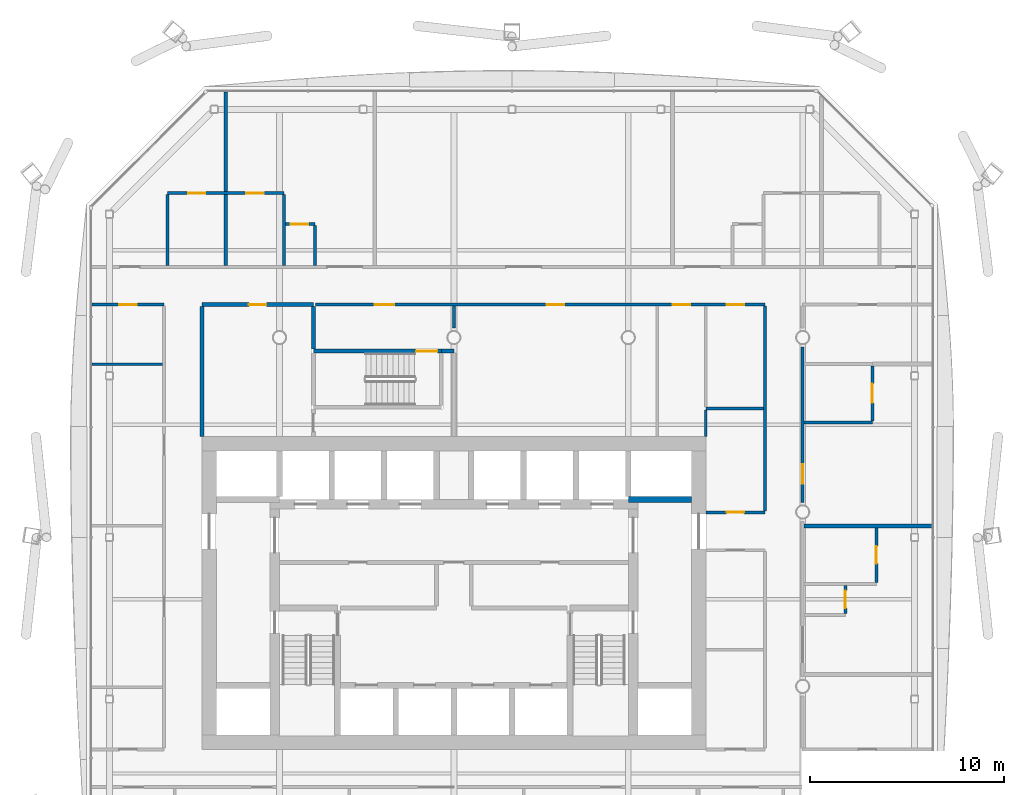
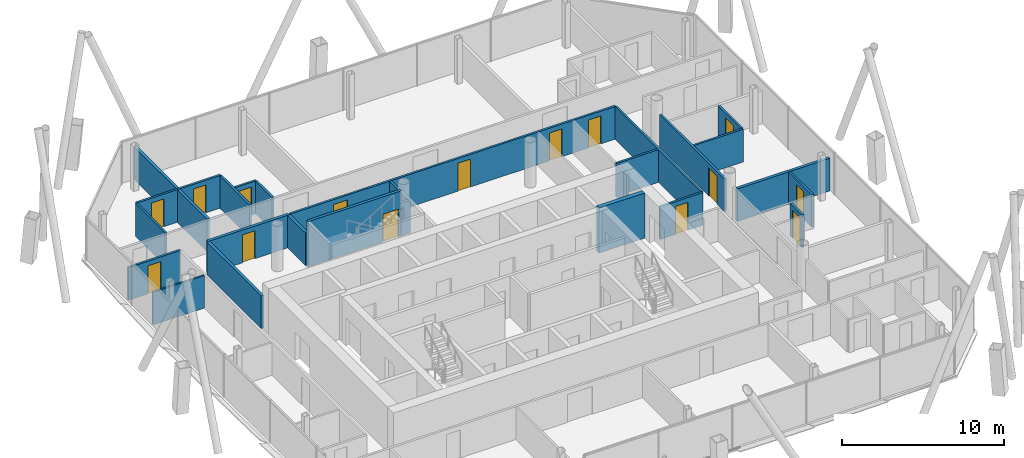
# One storey, part 16 of 20: 26 walls, 15 doors, 15 openings.
"""IFC4 building model written with IfcOpenShell, lengths in metres."""

from ifc_helpers import new_model, si_unit, direction, frame, frame_2d, origin, place, context, subcontext, project, spatial, rectangle, extrude, material, layer, layer_set, type_object, element, fill, save


model = new_model("IFC4")

# Units and contexts
model_context = context("Model", 3, precision=1e-05, world=origin(), true_north=direction((0.0, 1.0)))
body_context = subcontext(model_context, "Body", "Model", "MODEL_VIEW")
ifc_project = project(units=[si_unit("LENGTHUNIT", "METRE"), si_unit("AREAUNIT", "SQUARE_METRE"), si_unit("VOLUMEUNIT", "CUBIC_METRE"), si_unit("PLANEANGLEUNIT", "RADIAN"), si_unit("MASSUNIT", "GRAM", prefix="KILO")], contexts=[model_context])

# Site, building, storey
site_placement = place(None, origin())
site = spatial("IfcSite", under=ifc_project, at=site_placement, CompositionType="ELEMENT")
building_placement = place(site_placement, origin())
building = spatial("IfcBuilding", under=site, at=building_placement, Name="Tskaro Facet Tower", CompositionType="ELEMENT")
storey_placement = place(building_placement, frame((0.0, 0.0, 152.10009765625)))
storey = spatial("IfcBuildingStorey", under=building, at=storey_placement, Name="L37", CompositionType="ELEMENT", Elevation=152.10009765625)

# Walls
ifc_material_1 = material(Name="Concrete C60/75", Category="concrete")
ifc_layer_1 = layer(ifc_material_1, 0.300048828125, Name="Concrete C60/75")
ifc_layer_set_1 = layer_set([ifc_layer_1], Name="Concrete C60/75")
wall_type_1 = type_object("IfcWallType", Name="CORE-SHAFT", PredefinedType="SHEAR", material=ifc_layer_set_1)
wall_1_placement = place(storey_placement, frame((12.25, 0.64990234375, 0.0), z_axis=(0.0, 0.0, 1.0), x_axis=(-1.0, 0.0, 0.0)))
element("IfcWall", 1, at=wall_1_placement, inside=storey, type_object=wall_type_1, Name="Shaft wall W025", PredefinedType="SHEAR", context=body_context, shape_type="SweptSolid", body=[
    extrude(rectangle(XDim=3.25, YDim=0.300048828125, at=frame_2d((1.625, 0.0))), origin(), (0.0, 0.0, 1.0), 3.39990234375),
])
ifc_material_2 = material(Name="Gypsum board on steel studs", Category="steel")
ifc_layer_2 = layer(ifc_material_2, 0.125, Name="Gypsum board on steel studs")
ifc_layer_set_2 = layer_set([ifc_layer_2], Name="Gypsum board on steel studs")
wall_type_2 = type_object("IfcWallType", Name="PART", PredefinedType="PARTITIONING", material=ifc_layer_set_2)
wall_2_placement = place(storey_placement, frame((-18.674072265625, 7.6259765625, 0.0), z_axis=(0.0, 0.0, 1.0), x_axis=(1.0, 0.0, 0.0)))
element("IfcWall", 2, at=wall_2_placement, inside=storey, type_object=wall_type_2, Name="Partition W029", PredefinedType="PARTITIONING", context=body_context, shape_type="SweptSolid", body=[
    extrude(rectangle(XDim=3.649169921875, YDim=0.125, at=frame_2d((1.82470703125, 0.0))), origin(), (0.0, 0.0, 1.0), 2.4599609375),
])

# Wall, opening, door
ifc_layer_3 = layer(ifc_material_2, 0.14990234375, Name="Gypsum board on steel studs")
ifc_layer_set_3 = layer_set([ifc_layer_3], Name="Gypsum board on steel studs")
wall_type_3 = type_object("IfcWallType", Name="PART-CORR", PredefinedType="PARTITIONING", material=ifc_layer_set_3)
wall_3_placement = place(storey_placement, frame((13.0, -0.02490234375, 0.0), z_axis=(0.0, 0.0, 1.0), x_axis=(1.0, 0.0, 0.0)))
wall_3 = element("IfcWall", 3, at=wall_3_placement, inside=storey, type_object=wall_type_3, Name="Corridor wall W023", PredefinedType="PARTITIONING", context=body_context, shape_type="SweptSolid", body=[
    extrude(rectangle(XDim=3.050048828125, YDim=0.14990234375, at=frame_2d((1.52490234375, 0.0))), origin(), (0.0, 0.0, 1.0), 2.4599609375),
])
opening_1_placement = place(wall_3_placement, frame((1.074951171875, 0.0, 0.0)))
opening_1 = element("IfcOpeningElement", 4, at=opening_1_placement, cuts=wall_3, Name="Opening T11-D25", PredefinedType="OPENING", context=body_context, shape_type="SweptSolid", body=[
    extrude(rectangle(XDim=0.89990234375, YDim=2.10009765625, at=frame_2d((0.449951171875, 1.050048828125))), frame((0.0, 0.0849609375, 0.0), z_axis=(0.0, -1.0, 0.0), x_axis=(1.0, 0.0, 0.0)), (0.0, 0.0, 1.0), 0.169921875),
])
ifc_material_3 = material(Name="Timber", Category="wood")
door_type_1 = type_object("IfcDoorType", Name="D-ROOM", OperationType="NOTDEFINED", PredefinedType="DOOR", material=ifc_material_3)
door_1_placement = place(opening_1_placement, origin())
door_1 = element("IfcDoor", 5, at=door_1_placement, inside=storey, type_object=door_type_1, Name="Door T11-D25", OperationType="SINGLE_SWING_LEFT", OverallHeight=2.10009765625, OverallWidth=0.89990234375, PredefinedType="DOOR", context=body_context, shape_type="SweptSolid", body=[
    extrude(rectangle(XDim=0.89990234375, YDim=2.10009765625, at=frame_2d((0.449951171875, 1.050048828125))), frame((0.0, 0.02490234375, 0.0), z_axis=(0.0, -1.0, 0.0), x_axis=(1.0, 0.0, 0.0)), (0.0, 0.0, 1.0), 0.050048828125),
])
fill(opening_1, door_1)

# Walls
wall_4_placement = place(storey_placement, frame((18.074951171875, 4.6259765625, 0.0), z_axis=(0.0, 0.0, 1.0), x_axis=(1.0, 0.0, 0.0)))
element("IfcWall", 6, at=wall_4_placement, inside=storey, type_object=wall_type_3, Name="Corridor wall W026", PredefinedType="PARTITIONING", context=body_context, shape_type="SweptSolid", body=[
    extrude(rectangle(XDim=3.525146484375, YDim=0.14990234375, at=frame_2d((1.7626953125, 0.0))), origin(), (0.0, 0.0, 1.0), 2.4599609375),
])
wall_5_placement = place(storey_placement, frame((13.0, 5.3369140625, 0.0), z_axis=(0.0, 0.0, 1.0), x_axis=(1.0, 0.0, 0.0)))
element("IfcWall", 7, at=wall_5_placement, inside=storey, type_object=wall_type_3, Name="Corridor wall W027", PredefinedType="PARTITIONING", context=body_context, shape_type="SweptSolid", body=[
    extrude(rectangle(XDim=2.97509765625, YDim=0.14990234375, at=frame_2d((1.487548828125, 0.0))), origin(), (0.0, 0.0, 1.0), 2.4599609375),
])

# Wall, opening, door
wall_6_placement = place(storey_placement, frame((-14.949951171875, 10.699951171875, 0.0), z_axis=(0.0, 0.0, 1.0), x_axis=(-1.0, 0.0, 0.0)))
wall_6 = element("IfcWall", 8, at=wall_6_placement, inside=storey, type_object=wall_type_3, Name="Corridor wall W034", PredefinedType="PARTITIONING", context=body_context, shape_type="SweptSolid", body=[
    extrude(rectangle(XDim=3.72412109375, YDim=0.14990234375, at=frame_2d((1.862060546875, 0.0))), origin(), (0.0, 0.0, 1.0), 2.4599609375),
])
opening_2_placement = place(wall_6_placement, frame((1.412109375, 0.0, 0.0)))
opening_2 = element("IfcOpeningElement", 9, at=opening_2_placement, cuts=wall_6, Name="Opening T11-D32", PredefinedType="OPENING", context=body_context, shape_type="SweptSolid", body=[
    extrude(rectangle(XDim=0.89990234375, YDim=2.10009765625, at=frame_2d((0.449951171875, 1.050048828125))), frame((0.0, 0.0849609375, 0.0), z_axis=(0.0, -1.0, 0.0), x_axis=(1.0, 0.0, 0.0)), (0.0, 0.0, 1.0), 0.169921875),
])
door_2_placement = place(opening_2_placement, origin())
door_2 = element("IfcDoor", 10, at=door_2_placement, inside=storey, type_object=door_type_1, Name="Door T11-D32", OperationType="SINGLE_SWING_RIGHT", OverallHeight=2.10009765625, OverallWidth=0.89990234375, PredefinedType="DOOR", context=body_context, shape_type="SweptSolid", body=[
    extrude(rectangle(XDim=0.89990234375, YDim=2.10009765625, at=frame_2d((0.449951171875, 1.050048828125))), frame((0.0, 0.02490234375, 0.0), z_axis=(0.0, -1.0, 0.0), x_axis=(1.0, 0.0, 0.0)), (0.0, 0.0, 1.0), 0.050048828125),
])
fill(opening_2, door_2)

# Wall, openings, doors
wall_7_placement = place(storey_placement, frame((16.050048828125, 10.699951171875, 0.0), z_axis=(0.0, 0.0, 1.0), x_axis=(-1.0, 0.0, 0.0)))
wall_7 = element("IfcWall", 11, at=wall_7_placement, inside=storey, type_object=wall_type_3, Name="Corridor wall W036", PredefinedType="PARTITIONING", context=body_context, shape_type="SweptSolid", body=[
    extrude(rectangle(XDim=23.199951171875, YDim=0.14990234375, at=frame_2d((11.60009765625, 0.0))), origin(), (0.0, 0.0, 1.0), 2.4599609375),
])
opening_3_placement = place(wall_7_placement, frame((19.125, 0.0, 0.0)))
opening_3 = element("IfcOpeningElement", 12, at=opening_3_placement, cuts=wall_7, Name="Opening T11-D34", PredefinedType="OPENING", context=body_context, shape_type="SweptSolid", body=[
    extrude(rectangle(XDim=1.0, YDim=2.10009765625, at=frame_2d((0.5, 1.050048828125))), frame((0.0, 0.0849609375, 0.0), z_axis=(0.0, -1.0, 0.0), x_axis=(1.0, 0.0, 0.0)), (0.0, 0.0, 1.0), 0.169921875),
])
opening_4_placement = place(wall_7_placement, frame((10.35009765625, 0.0, 0.0)))
opening_4 = element("IfcOpeningElement", 13, at=opening_4_placement, cuts=wall_7, Name="Opening T11-D35", PredefinedType="OPENING", context=body_context, shape_type="SweptSolid", body=[
    extrude(rectangle(XDim=0.89990234375, YDim=2.10009765625, at=frame_2d((0.449951171875, 1.050048828125))), frame((0.0, 0.0849609375, 0.0), z_axis=(0.0, -1.0, 0.0), x_axis=(1.0, 0.0, 0.0)), (0.0, 0.0, 1.0), 0.169921875),
])
opening_5_placement = place(wall_7_placement, frame((3.85009765625, 0.0, 0.0)))
opening_5 = element("IfcOpeningElement", 14, at=opening_5_placement, cuts=wall_7, Name="Opening T11-D36", PredefinedType="OPENING", context=body_context, shape_type="SweptSolid", body=[
    extrude(rectangle(XDim=0.89990234375, YDim=2.10009765625, at=frame_2d((0.449951171875, 1.050048828125))), frame((0.0, 0.0849609375, 0.0), z_axis=(0.0, -1.0, 0.0), x_axis=(1.0, 0.0, 0.0)), (0.0, 0.0, 1.0), 0.169921875),
])
opening_6_placement = place(wall_7_placement, frame((1.074951171875, 0.0, 0.0)))
opening_6 = element("IfcOpeningElement", 15, at=opening_6_placement, cuts=wall_7, Name="Opening T11-D37", PredefinedType="OPENING", context=body_context, shape_type="SweptSolid", body=[
    extrude(rectangle(XDim=0.89990234375, YDim=2.10009765625, at=frame_2d((0.449951171875, 1.050048828125))), frame((0.0, 0.0849609375, 0.0), z_axis=(0.0, -1.0, 0.0), x_axis=(1.0, 0.0, 0.0)), (0.0, 0.0, 1.0), 0.169921875),
])
ifc_material_4 = material(Name="Steel", Category="steel")
door_type_2 = type_object("IfcDoorType", Name="D-LOBBY", OperationType="NOTDEFINED", PredefinedType="DOOR", material=ifc_material_4)
door_3_placement = place(opening_3_placement, origin())
door_3 = element("IfcDoor", 16, at=door_3_placement, inside=storey, type_object=door_type_2, Name="Stair lobby door", OperationType="SINGLE_SWING_RIGHT", OverallHeight=2.10009765625, OverallWidth=1.0, PredefinedType="DOOR", context=body_context, shape_type="SweptSolid", body=[
    extrude(rectangle(XDim=1.0, YDim=2.10009765625, at=frame_2d((0.5, 1.050048828125))), frame((0.0, 0.02490234375, 0.0), z_axis=(0.0, -1.0, 0.0), x_axis=(1.0, 0.0, 0.0)), (0.0, 0.0, 1.0), 0.050048828125),
])
fill(opening_3, door_3)
door_4_placement = place(opening_4_placement, origin())
door_4 = element("IfcDoor", 17, at=door_4_placement, inside=storey, type_object=door_type_1, Name="Door T11-D35", OperationType="SINGLE_SWING_RIGHT", OverallHeight=2.10009765625, OverallWidth=0.89990234375, PredefinedType="DOOR", context=body_context, shape_type="SweptSolid", body=[
    extrude(rectangle(XDim=0.89990234375, YDim=2.10009765625, at=frame_2d((0.449951171875, 1.050048828125))), frame((0.0, 0.02490234375, 0.0), z_axis=(0.0, -1.0, 0.0), x_axis=(1.0, 0.0, 0.0)), (0.0, 0.0, 1.0), 0.050048828125),
])
fill(opening_4, door_4)
door_5_placement = place(opening_5_placement, origin())
door_5 = element("IfcDoor", 18, at=door_5_placement, inside=storey, type_object=door_type_1, Name="Door T11-D36", OperationType="SINGLE_SWING_RIGHT", OverallHeight=2.10009765625, OverallWidth=0.89990234375, PredefinedType="DOOR", context=body_context, shape_type="SweptSolid", body=[
    extrude(rectangle(XDim=0.89990234375, YDim=2.10009765625, at=frame_2d((0.449951171875, 1.050048828125))), frame((0.0, 0.02490234375, 0.0), z_axis=(0.0, -1.0, 0.0), x_axis=(1.0, 0.0, 0.0)), (0.0, 0.0, 1.0), 0.050048828125),
])
fill(opening_5, door_5)
door_6_placement = place(opening_6_placement, origin())
door_6 = element("IfcDoor", 19, at=door_6_placement, inside=storey, type_object=door_type_1, Name="Door T11-D37", OperationType="SINGLE_SWING_RIGHT", OverallHeight=2.10009765625, OverallWidth=0.89990234375, PredefinedType="DOOR", context=body_context, shape_type="SweptSolid", body=[
    extrude(rectangle(XDim=0.89990234375, YDim=2.10009765625, at=frame_2d((0.449951171875, 1.050048828125))), frame((0.0, 0.02490234375, 0.0), z_axis=(0.0, -1.0, 0.0), x_axis=(1.0, 0.0, 0.0)), (0.0, 0.0, 1.0), 0.050048828125),
])
fill(opening_6, door_6)

# Wall, opening, door
wall_8_placement = place(storey_placement, frame((-7.16796875, 14.85009765625, 0.0), z_axis=(0.0, 0.0, 1.0), x_axis=(-1.0, 0.0, 0.0)))
wall_8 = element("IfcWall", 20, at=wall_8_placement, inside=storey, type_object=wall_type_3, Name="Corridor wall W039", PredefinedType="PARTITIONING", context=body_context, shape_type="SweptSolid", body=[
    extrude(rectangle(XDim=1.525146484375, YDim=0.14990234375, at=frame_2d((0.7626953125, 0.0))), origin(), (0.0, 0.0, 1.0), 2.4599609375),
])
opening_7_placement = place(wall_8_placement, frame((0.35009765625, 0.0, 0.0)))
opening_7 = element("IfcOpeningElement", 21, at=opening_7_placement, cuts=wall_8, Name="Opening T11-D44", PredefinedType="OPENING", context=body_context, shape_type="SweptSolid", body=[
    extrude(rectangle(XDim=0.89990234375, YDim=2.10009765625, at=frame_2d((0.449951171875, 1.050048828125))), frame((0.0, 0.0849609375, 0.0), z_axis=(0.0, -1.0, 0.0), x_axis=(1.0, 0.0, 0.0)), (0.0, 0.0, 1.0), 0.169921875),
])
door_7_placement = place(opening_7_placement, origin())
door_7 = element("IfcDoor", 22, at=door_7_placement, inside=storey, type_object=door_type_1, Name="Door T11-D44", OperationType="SINGLE_SWING_RIGHT", OverallHeight=2.10009765625, OverallWidth=0.89990234375, PredefinedType="DOOR", context=body_context, shape_type="SweptSolid", body=[
    extrude(rectangle(XDim=0.89990234375, YDim=2.10009765625, at=frame_2d((0.449951171875, 1.050048828125))), frame((0.0, 0.02490234375, 0.0), z_axis=(0.0, -1.0, 0.0), x_axis=(1.0, 0.0, 0.0)), (0.0, 0.0, 1.0), 0.050048828125),
])
fill(opening_7, door_7)

# Wall, openings, doors
wall_9_placement = place(storey_placement, frame((-8.76806640625, 16.449951171875, 0.0), z_axis=(0.0, 0.0, 1.0), x_axis=(-1.0, 0.0, 0.0)))
wall_9 = element("IfcWall", 23, at=wall_9_placement, inside=storey, type_object=wall_type_3, Name="Corridor wall W041", PredefinedType="PARTITIONING", context=body_context, shape_type="SweptSolid", body=[
    extrude(rectangle(XDim=6.0, YDim=0.14990234375, at=frame_2d((3.0, 0.0))), origin(), (0.0, 0.0, 1.0), 2.4599609375),
])
opening_8_placement = place(wall_9_placement, frame((4.050048828125, 0.0, 0.0)))
opening_8 = element("IfcOpeningElement", 24, at=opening_8_placement, cuts=wall_9, Name="Opening T11-D46", PredefinedType="OPENING", context=body_context, shape_type="SweptSolid", body=[
    extrude(rectangle(XDim=0.89990234375, YDim=2.10009765625, at=frame_2d((0.449951171875, 1.050048828125))), frame((0.0, 0.0849609375, 0.0), z_axis=(0.0, -1.0, 0.0), x_axis=(1.0, 0.0, 0.0)), (0.0, 0.0, 1.0), 0.169921875),
])
opening_9_placement = place(wall_9_placement, frame((1.050048828125, 0.0, 0.0)))
opening_9 = element("IfcOpeningElement", 25, at=opening_9_placement, cuts=wall_9, Name="Opening T11-D47", PredefinedType="OPENING", context=body_context, shape_type="SweptSolid", body=[
    extrude(rectangle(XDim=0.89990234375, YDim=2.10009765625, at=frame_2d((0.449951171875, 1.050048828125))), frame((0.0, 0.0849609375, 0.0), z_axis=(0.0, -1.0, 0.0), x_axis=(1.0, 0.0, 0.0)), (0.0, 0.0, 1.0), 0.169921875),
])
door_8_placement = place(opening_8_placement, origin())
door_8 = element("IfcDoor", 26, at=door_8_placement, inside=storey, type_object=door_type_1, Name="Door T11-D46", OperationType="SINGLE_SWING_RIGHT", OverallHeight=2.10009765625, OverallWidth=0.89990234375, PredefinedType="DOOR", context=body_context, shape_type="SweptSolid", body=[
    extrude(rectangle(XDim=0.89990234375, YDim=2.10009765625, at=frame_2d((0.449951171875, 1.050048828125))), frame((0.0, 0.02490234375, 0.0), z_axis=(0.0, -1.0, 0.0), x_axis=(1.0, 0.0, 0.0)), (0.0, 0.0, 1.0), 0.050048828125),
])
fill(opening_8, door_8)
door_9_placement = place(opening_9_placement, origin())
door_9 = element("IfcDoor", 27, at=door_9_placement, inside=storey, type_object=door_type_1, Name="Door T11-D47", OperationType="SINGLE_SWING_RIGHT", OverallHeight=2.10009765625, OverallWidth=0.89990234375, PredefinedType="DOOR", context=body_context, shape_type="SweptSolid", body=[
    extrude(rectangle(XDim=0.89990234375, YDim=2.10009765625, at=frame_2d((0.449951171875, 1.050048828125))), frame((0.0, 0.02490234375, 0.0), z_axis=(0.0, -1.0, 0.0), x_axis=(1.0, 0.0, 0.0)), (0.0, 0.0, 1.0), 0.050048828125),
])
fill(opening_9, door_9)

# Walls
for number, where, z_axis, x_axis, name in (
    (28, (-14.76806640625, 12.72509765625, 0.0), (0.0, 0.0, 1.0), (0.0, 1.0, 0.0), "Corridor wall W044"),
    (29, (-8.76806640625, 12.72509765625, 0.0), (0.0, 0.0, 1.0), (0.0, 1.0, 0.0), "Corridor wall W049"),
):
    element("IfcWall", number, at=place(storey_placement, frame(where, z_axis=z_axis, x_axis=x_axis)), inside=storey, type_object=wall_type_3, Name=name, PredefinedType="PARTITIONING", context=body_context, shape_type="SweptSolid", body=[
        extrude(rectangle(XDim=3.64990234375, YDim=0.14990234375, at=frame_2d((1.824951171875, 0.0))), origin(), (0.0, 0.0, 1.0), 2.4599609375),
    ])
wall_10_placement = place(storey_placement, frame((-7.16796875, 12.72509765625, 0.0), z_axis=(0.0, 0.0, 1.0), x_axis=(0.0, 1.0, 0.0)))
element("IfcWall", 30, at=wall_10_placement, inside=storey, type_object=wall_type_3, Name="Corridor wall W053", PredefinedType="PARTITIONING", context=body_context, shape_type="SweptSolid", body=[
    extrude(rectangle(XDim=2.0498046875, YDim=0.14990234375, at=frame_2d((1.02490234375, 0.0))), origin(), (0.0, 0.0, 1.0), 2.4599609375),
])
wall_11_placement = place(storey_placement, frame((0.0, 9.5, 0.0), z_axis=(0.0, 0.0, 1.0), x_axis=(0.0, 1.0, 0.0)))
element("IfcWall", 31, at=wall_11_placement, inside=storey, type_object=wall_type_3, Name="Corridor wall W065", PredefinedType="PARTITIONING", context=body_context, shape_type="SweptSolid", body=[
    extrude(rectangle(XDim=1.125, YDim=0.14990234375, at=frame_2d((0.5625, 0.0))), origin(), (0.0, 0.0, 1.0), 2.4599609375),
])
wall_12_placement = place(storey_placement, frame((13.0, 3.89990234375, 0.0), z_axis=(0.0, 0.0, 1.0), x_axis=(0.0, 1.0, 0.0)))
element("IfcWall", 32, at=wall_12_placement, inside=storey, type_object=wall_type_3, Name="Corridor wall W077", PredefinedType="PARTITIONING", context=body_context, shape_type="SweptSolid", body=[
    extrude(rectangle(XDim=1.362060546875, YDim=0.14990234375, at=frame_2d((0.68115234375, 0.0))), origin(), (0.0, 0.0, 1.0), 2.4599609375),
])
wall_13_placement = place(storey_placement, frame((16.050048828125, 0.050048828125, 0.0), z_axis=(0.0, 0.0, 1.0), x_axis=(0.0, 1.0, 0.0)))
element("IfcWall", 33, at=wall_13_placement, inside=storey, type_object=wall_type_3, Name="Corridor wall W082", PredefinedType="PARTITIONING", context=body_context, shape_type="SweptSolid", body=[
    extrude(rectangle(XDim=10.574951171875, YDim=0.14990234375, at=frame_2d((5.28759765625, 0.0))), origin(), (0.0, 0.0, 1.0), 2.4599609375),
])

# Wall, opening, door
wall_14_placement = place(storey_placement, frame((18.0, 8.5, 0.0), z_axis=(0.0, 0.0, 1.0), x_axis=(0.0, -1.0, 0.0)))
wall_14 = element("IfcWall", 34, at=wall_14_placement, inside=storey, type_object=wall_type_3, Name="Corridor wall W086", PredefinedType="PARTITIONING", context=body_context, shape_type="SweptSolid", body=[
    extrude(rectangle(XDim=8.0, YDim=0.14990234375, at=frame_2d((4.0, 0.0))), origin(), (0.0, 0.0, 1.0), 2.4599609375),
])
opening_10_placement = place(wall_14_placement, frame((6.044921875, 0.0, 0.0)))
opening_10 = element("IfcOpeningElement", 35, at=opening_10_placement, cuts=wall_14, Name="Opening T11-D28", PredefinedType="OPENING", context=body_context, shape_type="SweptSolid", body=[
    extrude(rectangle(XDim=1.0, YDim=2.10009765625, at=frame_2d((0.5, 1.050048828125))), frame((0.0, 0.0849609375, 0.0), z_axis=(0.0, -1.0, 0.0), x_axis=(1.0, 0.0, 0.0)), (0.0, 0.0, 1.0), 0.169921875),
])
door_type_3 = type_object("IfcDoorType", Name="D-ENTRY", OperationType="NOTDEFINED", PredefinedType="DOOR", material=ifc_material_3)
door_10_placement = place(opening_10_placement, origin())
door_10 = element("IfcDoor", 36, at=door_10_placement, inside=storey, type_object=door_type_3, Name="Door T11-D28", OperationType="SINGLE_SWING_LEFT", OverallHeight=2.10009765625, OverallWidth=1.0, PredefinedType="DOOR", context=body_context, shape_type="SweptSolid", body=[
    extrude(rectangle(XDim=1.0, YDim=2.10009765625, at=frame_2d((0.5, 1.050048828125))), frame((0.0, 0.02490234375, 0.0), z_axis=(0.0, -1.0, 0.0), x_axis=(1.0, 0.0, 0.0)), (0.0, 0.0, 1.0), 0.050048828125),
])
fill(opening_10, door_10)

wall_15_placement = place(storey_placement, frame((20.199951171875, -5.240966796875, 0.0), z_axis=(0.0, 0.0, 1.0), x_axis=(0.0, 1.0, 0.0)))
wall_15 = element("IfcWall", 37, at=wall_15_placement, inside=storey, type_object=wall_type_3, Name="Corridor wall W090", PredefinedType="PARTITIONING", context=body_context, shape_type="SweptSolid", body=[
    extrude(rectangle(XDim=1.449951171875, YDim=0.14990234375, at=frame_2d((0.72509765625, 0.0))), origin(), (0.0, 0.0, 1.0), 2.4599609375),
])
opening_11_placement = place(wall_15_placement, frame((0.27490234375, 0.0, 0.0)))
opening_11 = element("IfcOpeningElement", 38, at=opening_11_placement, cuts=wall_15, Name="Opening T11-D16", PredefinedType="OPENING", context=body_context, shape_type="SweptSolid", body=[
    extrude(rectangle(XDim=0.89990234375, YDim=2.10009765625, at=frame_2d((0.449951171875, 1.050048828125))), frame((0.0, 0.0849609375, 0.0), z_axis=(0.0, -1.0, 0.0), x_axis=(1.0, 0.0, 0.0)), (0.0, 0.0, 1.0), 0.169921875),
])
door_11_placement = place(opening_11_placement, origin())
door_11 = element("IfcDoor", 39, at=door_11_placement, inside=storey, type_object=door_type_1, Name="Door T11-D16", OperationType="SINGLE_SWING_LEFT", OverallHeight=2.10009765625, OverallWidth=0.89990234375, PredefinedType="DOOR", context=body_context, shape_type="SweptSolid", body=[
    extrude(rectangle(XDim=0.89990234375, YDim=2.10009765625, at=frame_2d((0.449951171875, 1.050048828125))), frame((0.0, 0.02490234375, 0.0), z_axis=(0.0, -1.0, 0.0), x_axis=(1.0, 0.0, 0.0)), (0.0, 0.0, 1.0), 0.050048828125),
])
fill(opening_11, door_11)

wall_16_placement = place(storey_placement, frame((21.60009765625, 4.700927734375, 0.0), z_axis=(0.0, 0.0, 1.0), x_axis=(0.0, 1.0, 0.0)))
wall_16 = element("IfcWall", 40, at=wall_16_placement, inside=storey, type_object=wall_type_3, Name="Corridor wall W093", PredefinedType="PARTITIONING", context=body_context, shape_type="SweptSolid", body=[
    extrude(rectangle(XDim=2.824951171875, YDim=0.14990234375, at=frame_2d((1.41259765625, 0.0))), origin(), (0.0, 0.0, 1.0), 2.4599609375),
])
opening_12_placement = place(wall_16_placement, frame((0.925048828125, 0.0, 0.0)))
opening_12 = element("IfcOpeningElement", 41, at=opening_12_placement, cuts=wall_16, Name="Opening T11-D31", PredefinedType="OPENING", context=body_context, shape_type="SweptSolid", body=[
    extrude(rectangle(XDim=1.0, YDim=2.10009765625, at=frame_2d((0.5, 1.050048828125))), frame((0.0, 0.0849609375, 0.0), z_axis=(0.0, -1.0, 0.0), x_axis=(1.0, 0.0, 0.0)), (0.0, 0.0, 1.0), 0.169921875),
])
door_type_4 = type_object("IfcDoorType", Name="D-ROOM-WIDE", OperationType="NOTDEFINED", PredefinedType="DOOR", material=ifc_material_3)
door_12_placement = place(opening_12_placement, origin())
door_12 = element("IfcDoor", 42, at=door_12_placement, inside=storey, type_object=door_type_4, Name="Door T11-D31", OperationType="SINGLE_SWING_LEFT", OverallHeight=2.10009765625, OverallWidth=1.0, PredefinedType="DOOR", context=body_context, shape_type="SweptSolid", body=[
    extrude(rectangle(XDim=1.0, YDim=2.10009765625, at=frame_2d((0.5, 1.050048828125))), frame((0.0, 0.02490234375, 0.0), z_axis=(0.0, -1.0, 0.0), x_axis=(1.0, 0.0, 0.0)), (0.0, 0.0, 1.0), 0.050048828125),
])
fill(opening_12, door_12)

wall_17_placement = place(storey_placement, frame((21.800048828125, -3.64111328125, 0.0), z_axis=(0.0, 0.0, 1.0), x_axis=(0.0, 1.0, 0.0)))
wall_17 = element("IfcWall", 43, at=wall_17_placement, inside=storey, type_object=wall_type_3, Name="Corridor wall W094", PredefinedType="PARTITIONING", context=body_context, shape_type="SweptSolid", body=[
    extrude(rectangle(XDim=2.8251953125, YDim=0.14990234375, at=frame_2d((1.41259765625, 0.0))), origin(), (0.0, 0.0, 1.0), 2.4599609375),
])
opening_13_placement = place(wall_17_placement, frame((0.97509765625, 0.0, 0.0)))
opening_13 = element("IfcOpeningElement", 44, at=opening_13_placement, cuts=wall_17, Name="Opening T11-D19", PredefinedType="OPENING", context=body_context, shape_type="SweptSolid", body=[
    extrude(rectangle(XDim=0.89990234375, YDim=2.10009765625, at=frame_2d((0.449951171875, 1.050048828125))), frame((0.0, 0.0849609375, 0.0), z_axis=(0.0, -1.0, 0.0), x_axis=(1.0, 0.0, 0.0)), (0.0, 0.0, 1.0), 0.169921875),
])
door_13_placement = place(opening_13_placement, origin())
door_13 = element("IfcDoor", 45, at=door_13_placement, inside=storey, type_object=door_type_1, Name="Door T11-D19", OperationType="SINGLE_SWING_LEFT", OverallHeight=2.10009765625, OverallWidth=0.89990234375, PredefinedType="DOOR", context=body_context, shape_type="SweptSolid", body=[
    extrude(rectangle(XDim=0.89990234375, YDim=2.10009765625, at=frame_2d((0.449951171875, 1.050048828125))), frame((0.0, 0.02490234375, 0.0), z_axis=(0.0, -1.0, 0.0), x_axis=(1.0, 0.0, 0.0)), (0.0, 0.0, 1.0), 0.050048828125),
])
fill(opening_13, door_13)

# Walls
ifc_layer_4 = layer(ifc_material_2, 0.199951171875, Name="Gypsum board on steel studs")
ifc_layer_set_4 = layer_set([ifc_layer_4], Name="Gypsum board on steel studs")
wall_type_4 = type_object("IfcWallType", Name="PART-DEMISING", PredefinedType="PARTITIONING", material=ifc_layer_set_4)
wall_18_placement = place(storey_placement, frame((18.074951171875, -0.716064453125, 0.0), z_axis=(0.0, 0.0, 1.0), x_axis=(1.0, 0.0, 0.0)))
element("IfcWall", 46, at=wall_18_placement, inside=storey, type_object=wall_type_4, Name="Guest room wall W021", PredefinedType="PARTITIONING", context=body_context, shape_type="SweptSolid", body=[
    extrude(rectangle(XDim=6.59912109375, YDim=0.199951171875, at=frame_2d((3.299560546875, 0.0))), origin(), (0.0, 0.0, 1.0), 2.4599609375),
])
wall_19_placement = place(storey_placement, frame((-11.76806640625, 12.72509765625, 0.0), z_axis=(0.0, 0.0, 1.0), x_axis=(0.0, 1.0, 0.0)))
element("IfcWall", 47, at=wall_19_placement, inside=storey, type_object=wall_type_4, Name="Guest room wall W047", PredefinedType="PARTITIONING", context=body_context, shape_type="SweptSolid", body=[
    extrude(rectangle(XDim=8.948974609375, YDim=0.199951171875, at=frame_2d((4.474609375, 0.0))), origin(), (0.0, 0.0, 1.0), 2.4599609375),
])

# Wall, opening, door
ifc_layer_5 = layer(ifc_material_1, 0.199951171875, Name="Concrete C60/75")
ifc_layer_set_5 = layer_set([ifc_layer_5], Name="Concrete C60/75")
wall_type_5 = type_object("IfcWallType", Name="STAIR-WALL", PredefinedType="SHEAR", material=ifc_layer_set_5)
wall_20_placement = place(storey_placement, frame((-0.64990234375, 8.300048828125, 0.0), z_axis=(0.0, 0.0, 1.0), x_axis=(-1.0, 0.0, 0.0)))
wall_20 = element("IfcWall", 48, at=wall_20_placement, inside=storey, type_object=wall_type_5, Name="Stair wall W032", PredefinedType="SHEAR", context=body_context, shape_type="SweptSolid", body=[
    extrude(rectangle(XDim=6.60009765625, YDim=0.199951171875, at=frame_2d((3.300048828125, 0.0))), origin(), (0.0, 0.0, 1.0), 3.39990234375),
])
opening_14_placement = place(wall_20_placement, frame((0.199951171875, 0.0, 0.0)))
opening_14 = element("IfcOpeningElement", 49, at=opening_14_placement, cuts=wall_20, Name="Opening ST-3-D1", PredefinedType="OPENING", context=body_context, shape_type="SweptSolid", body=[
    extrude(rectangle(XDim=1.10009765625, YDim=2.10009765625, at=frame_2d((0.550048828125, 1.050048828125))), frame((0.0, 0.10986328125, 0.0), z_axis=(0.0, -1.0, 0.0), x_axis=(1.0, 0.0, 0.0)), (0.0, 0.0, 1.0), 0.219970703125),
])
door_type_5 = type_object("IfcDoorType", Name="D-STAIR", OperationType="NOTDEFINED", PredefinedType="DOOR", material=ifc_material_4)
door_14_placement = place(opening_14_placement, origin())
door_14 = element("IfcDoor", 50, at=door_14_placement, inside=storey, type_object=door_type_5, Name="Stair door 3", OperationType="SINGLE_SWING_RIGHT", OverallHeight=2.10009765625, OverallWidth=1.10009765625, PredefinedType="DOOR", context=body_context, shape_type="SweptSolid", body=[
    extrude(rectangle(XDim=1.10009765625, YDim=2.10009765625, at=frame_2d((0.550048828125, 1.050048828125))), frame((0.0, 0.02490234375, 0.0), z_axis=(0.0, -1.0, 0.0), x_axis=(1.0, 0.0, 0.0)), (0.0, 0.0, 1.0), 0.050048828125),
])
fill(opening_14, door_14)

# Wall
ifc_material_5 = material(Name="Concrete C20/25", Category="concrete")
ifc_layer_6 = layer(ifc_material_5, 0.199951171875, Name="Concrete C20/25")
ifc_layer_set_6 = layer_set([ifc_layer_6], Name="Concrete C20/25")
wall_type_6 = type_object("IfcWallType", Name="WALL-RISER", PredefinedType="SOLIDWALL", material=ifc_layer_set_6)
wall_21_placement = place(storey_placement, frame((-0.64990234375, 8.300048828125, 0.0), z_axis=(0.0, 0.0, 1.0), x_axis=(1.0, 0.0, 0.0)))
element("IfcWall", 51, at=wall_21_placement, inside=storey, type_object=wall_type_6, Name="Riser room wall W033", PredefinedType="SOLIDWALL", context=body_context, shape_type="SweptSolid", body=[
    extrude(rectangle(XDim=0.64990234375, YDim=0.199951171875, at=frame_2d((0.324951171875, 0.0))), origin(), (0.0, 0.0, 1.0), 2.4599609375),
])

# Wall, opening, door
wall_22_placement = place(storey_placement, frame((-7.25, 10.699951171875, 0.0), z_axis=(0.0, 0.0, 1.0), x_axis=(-1.0, 0.0, 0.0)))
wall_22 = element("IfcWall", 52, at=wall_22_placement, inside=storey, type_object=wall_type_6, Name="Riser room wall W035", PredefinedType="SOLIDWALL", context=body_context, shape_type="SweptSolid", body=[
    extrude(rectangle(XDim=5.75, YDim=0.199951171875, at=frame_2d((2.875, 0.0))), origin(), (0.0, 0.0, 1.0), 2.4599609375),
])
opening_15_placement = place(wall_22_placement, frame((2.425048828125, 0.0, 0.0)))
opening_15 = element("IfcOpeningElement", 53, at=opening_15_placement, cuts=wall_22, Name="Opening T11-D33", PredefinedType="OPENING", context=body_context, shape_type="SweptSolid", body=[
    extrude(rectangle(XDim=0.89990234375, YDim=2.10009765625, at=frame_2d((0.449951171875, 1.050048828125))), frame((0.0, 0.10986328125, 0.0), z_axis=(0.0, -1.0, 0.0), x_axis=(1.0, 0.0, 0.0)), (0.0, 0.0, 1.0), 0.219970703125),
])
door_type_6 = type_object("IfcDoorType", Name="D-RISER", OperationType="NOTDEFINED", PredefinedType="DOOR", material=ifc_material_4)
door_15_placement = place(opening_15_placement, origin())
door_15 = element("IfcDoor", 54, at=door_15_placement, inside=storey, type_object=door_type_6, Name="Door T11-D33", OperationType="SINGLE_SWING_RIGHT", OverallHeight=2.10009765625, OverallWidth=0.89990234375, PredefinedType="DOOR", context=body_context, shape_type="SweptSolid", body=[
    extrude(rectangle(XDim=0.89990234375, YDim=2.10009765625, at=frame_2d((0.449951171875, 1.050048828125))), frame((0.0, 0.02490234375, 0.0), z_axis=(0.0, -1.0, 0.0), x_axis=(1.0, 0.0, 0.0)), (0.0, 0.0, 1.0), 0.050048828125),
])
fill(opening_15, door_15)

# Walls
wall_23_placement = place(storey_placement, frame((-13.0, 3.89990234375, 0.0), z_axis=(0.0, 0.0, 1.0), x_axis=(0.0, 1.0, 0.0)))
element("IfcWall", 55, at=wall_23_placement, inside=storey, type_object=wall_type_6, Name="Riser room wall W046", PredefinedType="SOLIDWALL", context=body_context, shape_type="SweptSolid", body=[
    extrude(rectangle(XDim=6.7001953125, YDim=0.199951171875, at=frame_2d((3.35009765625, 0.0))), origin(), (0.0, 0.0, 1.0), 2.4599609375),
])
wall_24_placement = place(storey_placement, frame((-7.25, 8.39990234375, 0.0), z_axis=(0.0, 0.0, 1.0), x_axis=(0.0, 1.0, 0.0)))
element("IfcWall", 56, at=wall_24_placement, inside=storey, type_object=wall_type_6, Name="Riser room wall W052", PredefinedType="SOLIDWALL", context=body_context, shape_type="SweptSolid", body=[
    extrude(rectangle(XDim=2.2001953125, YDim=0.199951171875, at=frame_2d((1.10009765625, 0.0))), origin(), (0.0, 0.0, 1.0), 2.4599609375),
])

save(model, "model.ifc")
